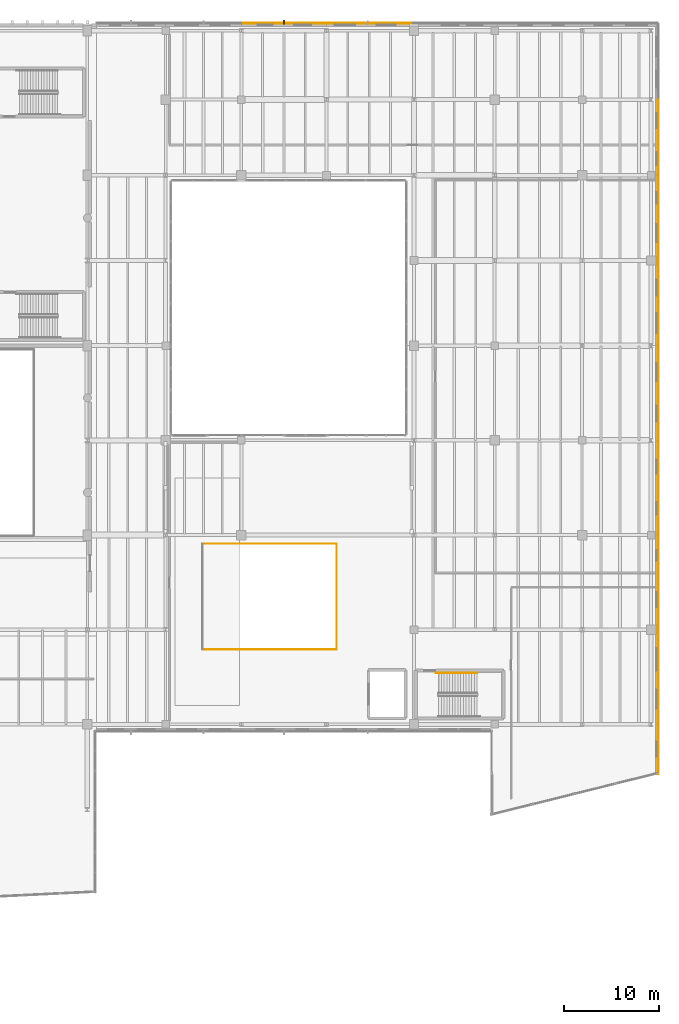
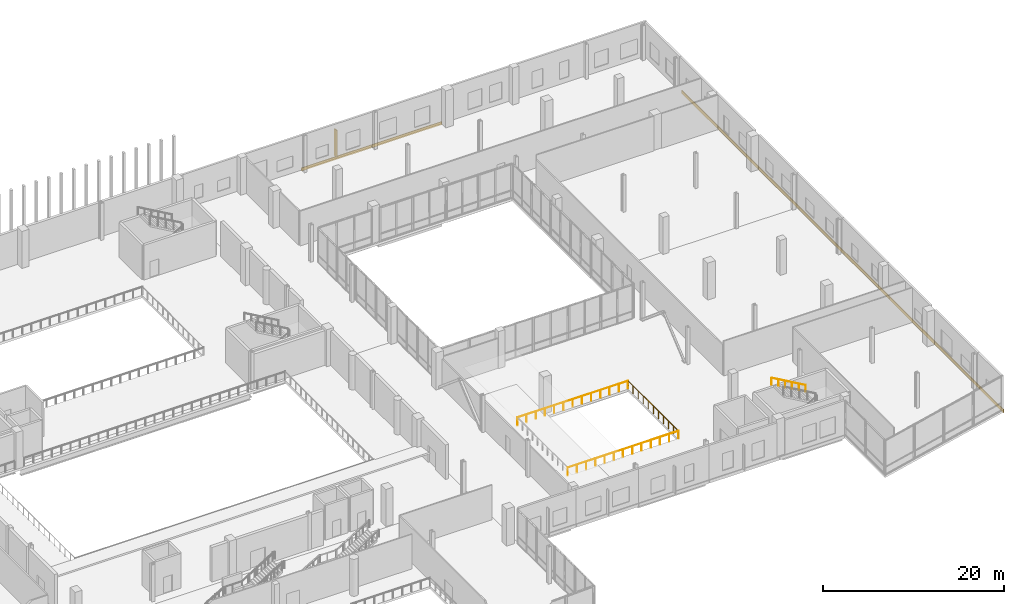
# One storey, part 80 of 81: 10 coverings, 4 railings, 1 shading device.
"""IFC4 building model written with IfcOpenShell, lengths in metres."""

from ifc_helpers import new_model, si_unit, direction, frame, origin, origin_2d, place, context, subcontext, project, spatial, rectangle, circle, extrude, material, layer, layer_set, type_object, element, save


model = new_model("IFC4")

# Units and contexts
model_context = context("Model", 3, precision=1e-05, world=origin(), true_north=direction((0.0, 1.0)))
body_context = subcontext(model_context, "Body", "Model", "MODEL_VIEW")
ifc_project = project(units=[si_unit("LENGTHUNIT", "METRE"), si_unit("AREAUNIT", "SQUARE_METRE"), si_unit("VOLUMEUNIT", "CUBIC_METRE"), si_unit("PLANEANGLEUNIT", "RADIAN"), si_unit("MASSUNIT", "GRAM", prefix="KILO")], contexts=[model_context])

# Site, building, storey
site_placement = place(None, origin())
site = spatial("IfcSite", under=ifc_project, at=site_placement, CompositionType="ELEMENT")
building_placement = place(site_placement, origin())
building = spatial("IfcBuilding", under=site, at=building_placement, Name="Trimount Lyric Opera House", CompositionType="ELEMENT")
storey_placement = place(building_placement, frame((0.0, 0.0, 5.0)))
storey = spatial("IfcBuildingStorey", under=building, at=storey_placement, Name="L01", CompositionType="ELEMENT", Elevation=5.0)

# Coverings
ifc_material_1 = material(Name="Architectural Precast Concrete Spandrel Band", Category="concrete")
ifc_layer = layer(ifc_material_1, 0.094970703125)
ifc_layer_set = layer_set([ifc_layer], Name="CLD-WING1")
covering_type = type_object("IfcCoveringType", Name="CLD-WING1", PredefinedType="CLADDING", material=ifc_layer_set)
for number, where, z_axis, x_axis, name in (
    (1, (134.5, 118.04150390625, -0.369873046875), (0.0, 0.0, 1.0), (1.0, 0.0, 0.0), "L01 precast slab-edge spandrel 179"),
    (2, (143.5, 118.04150390625, -0.369873046875), (0.0, 0.0, 1.0), (1.0, 0.0, 0.0), "L01 precast slab-edge spandrel 180"),
):
    element("IfcCovering", number, at=place(storey_placement, frame(where, z_axis=z_axis, x_axis=x_axis)), inside=storey, type_object=covering_type, Name=name, PredefinedType="CLADDING", context=body_context, shape_type="SweptSolid", body=[
        extrude(rectangle(XDim=8.93994140625, YDim=0.094970703125, at=origin_2d()), origin(), (0.0, 0.0, 1.0), 0.419921875),
    ])
covering_1_placement = place(storey_placement, frame((174.04150390625, 106.0, -0.369873046875), z_axis=(0.0, 0.0, 1.0), x_axis=(0.0, -1.0, 0.0)))
element("IfcCovering", 3, at=covering_1_placement, inside=storey, type_object=covering_type, Name="L01 precast slab-edge spandrel 185", PredefinedType="CLADDING", context=body_context, shape_type="SweptSolid", body=[
    extrude(rectangle(XDim=7.93994140625, YDim=0.094970703125, at=origin_2d()), origin(), (0.0, 0.0, 1.0), 0.419921875),
])
for number, where, z_axis, x_axis, name in (
    (4, (174.04150390625, 97.5, -0.369873046875), (0.0, 0.0, 1.0), (0.0, -1.0, 0.0), "L01 precast slab-edge spandrel 186"),
    (5, (174.04150390625, 88.5, -0.369873046875), (0.0, 0.0, 1.0), (0.0, -1.0, 0.0), "L01 precast slab-edge spandrel 187"),
):
    element("IfcCovering", number, at=place(storey_placement, frame(where, z_axis=z_axis, x_axis=x_axis)), inside=storey, type_object=covering_type, Name=name, PredefinedType="CLADDING", context=body_context, shape_type="SweptSolid", body=[
        extrude(rectangle(XDim=8.93994140625, YDim=0.094970703125, at=origin_2d()), origin(), (0.0, 0.0, 1.0), 0.419921875),
    ])
for number, where, z_axis, x_axis, name in (
    (6, (174.04150390625, 79.0, -0.369873046875), (0.0, 0.0, 1.0), (0.0, -1.0, 0.0), "L01 precast slab-edge spandrel 188"),
    (7, (174.04150390625, 69.0, -0.369873046875), (0.0, 0.0, 1.0), (0.0, -1.0, 0.0), "L01 precast slab-edge spandrel 189"),
    (8, (174.04150390625, 59.0, -0.369873046875), (0.0, 0.0, 1.0), (0.0, -1.0, 0.0), "L01 precast slab-edge spandrel 190"),
    (9, (174.04150390625, 49.0, -0.369873046875), (0.0, 0.0, 1.0), (0.0, -1.0, 0.0), "L01 precast slab-edge spandrel 191"),
):
    element("IfcCovering", number, at=place(storey_placement, frame(where, z_axis=z_axis, x_axis=x_axis)), inside=storey, type_object=covering_type, Name=name, PredefinedType="CLADDING", context=body_context, shape_type="SweptSolid", body=[
        extrude(rectangle(XDim=9.93994140625, YDim=0.094970703125, at=origin_2d()), origin(), (0.0, 0.0, 1.0), 0.419921875),
    ])
covering_2_placement = place(storey_placement, frame((174.04150390625, 41.360107421875, -0.369873046875), z_axis=(0.0, 0.0, 1.0), x_axis=(0.0, -1.0, 0.0)))
element("IfcCovering", 10, at=covering_2_placement, inside=storey, type_object=covering_type, Name="L01 precast slab-edge spandrel 192", PredefinedType="CLADDING", context=body_context, shape_type="SweptSolid", body=[
    extrude(rectangle(XDim=5.219970703125, YDim=0.094970703125, at=origin_2d()), origin(), (0.0, 0.0, 1.0), 0.419921875),
])

# Railings
ifc_material_2 = material(Name="Brushed Stainless Steel 316", Category="steel")
railing_type_1 = type_object("IfcRailingType", Name="RL-GRD110", PredefinedType="GUARDRAIL", material=ifc_material_2)
railing_1_placement = place(storey_placement, frame((125.919921875, 51.919921875, 0.0)))
element("IfcRailing", 11, at=railing_1_placement, inside=storey, type_object=railing_type_1, Name="L01 atrium and balcony guard GRD-PF-L01-S", PredefinedType="GUARDRAIL", context=body_context, shape_type="SweptSolid", body=[
    extrude(circle(Radius=0.02392578125, at=origin_2d()), frame((0.0, 0.0, 1.076171875), z_axis=(1.0, 0.0, 0.0), x_axis=(0.0, 1.0, 0.0)), (0.0, 0.0, 1.0), 14.16015625),
    extrude(circle(Radius=0.02099609375, at=origin_2d()), origin(), (0.0, 0.0, 1.0), 1.052001953125),
    extrude(circle(Radius=0.02099609375, at=origin_2d()), frame((1.179931640625, 0.0, 0.0)), (0.0, 0.0, 1.0), 1.052001953125),
    extrude(circle(Radius=0.02099609375, at=origin_2d()), frame((2.360107421875, 0.0, 0.0)), (0.0, 0.0, 1.0), 1.052001953125),
    extrude(circle(Radius=0.02099609375, at=origin_2d()), frame((3.5400390625, 0.0, 0.0)), (0.0, 0.0, 1.0), 1.052001953125),
    extrude(circle(Radius=0.02099609375, at=origin_2d()), frame((4.719970703125, 0.0, 0.0)), (0.0, 0.0, 1.0), 1.052001953125),
    extrude(circle(Radius=0.02099609375, at=origin_2d()), frame((5.900146484375, 0.0, 0.0)), (0.0, 0.0, 1.0), 1.052001953125),
    extrude(circle(Radius=0.02099609375, at=origin_2d()), frame((7.080078125, 0.0, 0.0)), (0.0, 0.0, 1.0), 1.052001953125),
    extrude(circle(Radius=0.02099609375, at=origin_2d()), frame((8.260009765625, 0.0, 0.0)), (0.0, 0.0, 1.0), 1.052001953125),
    extrude(circle(Radius=0.02099609375, at=origin_2d()), frame((9.440185546875, 0.0, 0.0)), (0.0, 0.0, 1.0), 1.052001953125),
    extrude(circle(Radius=0.02099609375, at=origin_2d()), frame((10.6201171875, 0.0, 0.0)), (0.0, 0.0, 1.0), 1.052001953125),
    extrude(circle(Radius=0.02099609375, at=origin_2d()), frame((11.800048828125, 0.0, 0.0)), (0.0, 0.0, 1.0), 1.052001953125),
    extrude(circle(Radius=0.02099609375, at=origin_2d()), frame((12.980224609375, 0.0, 0.0)), (0.0, 0.0, 1.0), 1.052001953125),
    extrude(circle(Radius=0.02099609375, at=origin_2d()), frame((14.16015625, 0.0, 0.0)), (0.0, 0.0, 1.0), 1.052001953125),
])
railing_2_placement = place(storey_placement, frame((140.080078125, 51.919921875, 0.0)))
element("IfcRailing", 12, at=railing_2_placement, inside=storey, type_object=railing_type_1, Name="L01 atrium and balcony guard GRD-PF-L01-E", PredefinedType="GUARDRAIL", context=body_context, shape_type="SweptSolid", body=[
    extrude(circle(Radius=0.02392578125, at=origin_2d()), frame((0.0, 0.0, 1.076171875), z_axis=(0.0, 1.0, 0.0), x_axis=(-1.0, 0.0, 0.0)), (0.0, 0.0, 1.0), 11.16015625),
    extrude(circle(Radius=0.02099609375, at=origin_2d()), origin(), (0.0, 0.0, 1.0), 1.052001953125),
    extrude(circle(Radius=0.02099609375, at=origin_2d()), frame((0.0, 1.115966796875, 0.0)), (0.0, 0.0, 1.0), 1.052001953125),
    extrude(circle(Radius=0.02099609375, at=origin_2d()), frame((0.0, 2.23193359375, 0.0)), (0.0, 0.0, 1.0), 1.052001953125),
    extrude(circle(Radius=0.02099609375, at=origin_2d()), frame((0.0, 3.34814453125, 0.0)), (0.0, 0.0, 1.0), 1.052001953125),
    extrude(circle(Radius=0.02099609375, at=origin_2d()), frame((0.0, 4.464111328125, 0.0)), (0.0, 0.0, 1.0), 1.052001953125),
    extrude(circle(Radius=0.02099609375, at=origin_2d()), frame((0.0, 5.580078125, 0.0)), (0.0, 0.0, 1.0), 1.052001953125),
    extrude(circle(Radius=0.02099609375, at=origin_2d()), frame((0.0, 6.696044921875, 0.0)), (0.0, 0.0, 1.0), 1.052001953125),
    extrude(circle(Radius=0.02099609375, at=origin_2d()), frame((0.0, 7.81201171875, 0.0)), (0.0, 0.0, 1.0), 1.052001953125),
    extrude(circle(Radius=0.02099609375, at=origin_2d()), frame((0.0, 8.92822265625, 0.0)), (0.0, 0.0, 1.0), 1.052001953125),
    extrude(circle(Radius=0.02099609375, at=origin_2d()), frame((0.0, 10.044189453125, 0.0)), (0.0, 0.0, 1.0), 1.052001953125),
    extrude(circle(Radius=0.02099609375, at=origin_2d()), frame((0.0, 11.16015625, 0.0)), (0.0, 0.0, 1.0), 1.052001953125),
])
railing_3_placement = place(storey_placement, frame((140.080078125, 63.080078125, 0.0)))
element("IfcRailing", 13, at=railing_3_placement, inside=storey, type_object=railing_type_1, Name="L01 atrium and balcony guard GRD-PF-L01-N", PredefinedType="GUARDRAIL", context=body_context, shape_type="SweptSolid", body=[
    extrude(circle(Radius=0.02392578125, at=origin_2d()), frame((0.0, 0.0, 1.076171875), z_axis=(-1.0, 0.0, 0.0), x_axis=(0.0, -1.0, 0.0)), (0.0, 0.0, 1.0), 14.16015625),
    extrude(circle(Radius=0.02099609375, at=origin_2d()), origin(), (0.0, 0.0, 1.0), 1.052001953125),
    extrude(circle(Radius=0.02099609375, at=origin_2d()), frame((-1.179931640625, 0.0, 0.0)), (0.0, 0.0, 1.0), 1.052001953125),
    extrude(circle(Radius=0.02099609375, at=origin_2d()), frame((-2.360107421875, 0.0, 0.0)), (0.0, 0.0, 1.0), 1.052001953125),
    extrude(circle(Radius=0.02099609375, at=origin_2d()), frame((-3.5400390625, 0.0, 0.0)), (0.0, 0.0, 1.0), 1.052001953125),
    extrude(circle(Radius=0.02099609375, at=origin_2d()), frame((-4.719970703125, 0.0, 0.0)), (0.0, 0.0, 1.0), 1.052001953125),
    extrude(circle(Radius=0.02099609375, at=origin_2d()), frame((-5.900146484375, 0.0, 0.0)), (0.0, 0.0, 1.0), 1.052001953125),
    extrude(circle(Radius=0.02099609375, at=origin_2d()), frame((-7.080078125, 0.0, 0.0)), (0.0, 0.0, 1.0), 1.052001953125),
    extrude(circle(Radius=0.02099609375, at=origin_2d()), frame((-8.260009765625, 0.0, 0.0)), (0.0, 0.0, 1.0), 1.052001953125),
    extrude(circle(Radius=0.02099609375, at=origin_2d()), frame((-9.440185546875, 0.0, 0.0)), (0.0, 0.0, 1.0), 1.052001953125),
    extrude(circle(Radius=0.02099609375, at=origin_2d()), frame((-10.6201171875, 0.0, 0.0)), (0.0, 0.0, 1.0), 1.052001953125),
    extrude(circle(Radius=0.02099609375, at=origin_2d()), frame((-11.800048828125, 0.0, 0.0)), (0.0, 0.0, 1.0), 1.052001953125),
    extrude(circle(Radius=0.02099609375, at=origin_2d()), frame((-12.980224609375, 0.0, 0.0)), (0.0, 0.0, 1.0), 1.052001953125),
    extrude(circle(Radius=0.02099609375, at=origin_2d()), frame((-14.16015625, 0.0, 0.0)), (0.0, 0.0, 1.0), 1.052001953125),
])
ifc_material_3 = material(Name="Brushed Stainless Steel 316", Category="steel")
railing_type_2 = type_object("IfcRailingType", Name="RL-HND092", PredefinedType="HANDRAIL", material=ifc_material_3)
railing_4_placement = place(storey_placement, frame((154.909912109375, 49.449951171875, 2.666748046875)))
element("IfcRailing", 14, at=railing_4_placement, inside=storey, type_object=railing_type_2, Name="L01 ST-05 stair handrail 2", PredefinedType="HANDRAIL", context=body_context, shape_type="SweptSolid", body=[
    extrude(circle(Radius=0.0224609375, at=origin_2d()), frame((0.0, 0.0, 0.8974609375), z_axis=(-0.866754379005, 0.0, 0.498735246875), x_axis=(0.0, -1.0, 0.0)), (0.0, 0.0, 1.0), 5.0185546875),
    extrude(circle(Radius=0.02099609375, at=origin_2d()), origin(), (0.0, 0.0, 1.0), 0.875),
    extrude(circle(Radius=0.02099609375, at=origin_2d()), frame((-0.869873046875, 0.0, 0.50048828125)), (0.0, 0.0, 1.0), 0.875),
    extrude(circle(Radius=0.02099609375, at=origin_2d()), frame((-1.739990234375, 0.0, 1.001220703125)), (0.0, 0.0, 1.0), 0.875),
    extrude(circle(Radius=0.02099609375, at=origin_2d()), frame((-2.60986328125, 0.0, 1.501708984375)), (0.0, 0.0, 1.0), 0.875),
    extrude(circle(Radius=0.02099609375, at=origin_2d()), frame((-3.47998046875, 0.0, 2.00244140625)), (0.0, 0.0, 1.0), 0.875),
    extrude(circle(Radius=0.02099609375, at=origin_2d()), frame((-4.349853515625, 0.0, 2.5029296875)), (0.0, 0.0, 1.0), 0.875),
])

# Shading device
ifc_material_4 = material(Name="Extruded Bronze Vertical Acoustic Fin")
shading_device_type = type_object("IfcShadingDeviceType", Name="SHD-FIN1", PredefinedType="USERDEFINED", material=ifc_material_4)
shading_device_placement = place(storey_placement, frame((134.5, 118.179931640625, 0.0), z_axis=(0.0, 0.0, 1.0), x_axis=(1.0, 0.0, 0.0)))
element("IfcShadingDevice", 15, at=shading_device_placement, inside=storey, type_object=shading_device_type, Name="Vertical architectural facade fin 067", ObjectType="FIN", PredefinedType="USERDEFINED", context=body_context, shape_type="SweptSolid", body=[
    extrude(rectangle(XDim=0.139892578125, YDim=0.449951171875, at=origin_2d()), origin(), (0.0, 0.0, 1.0), 3.60009765625),
])

save(model, "model.ifc")
